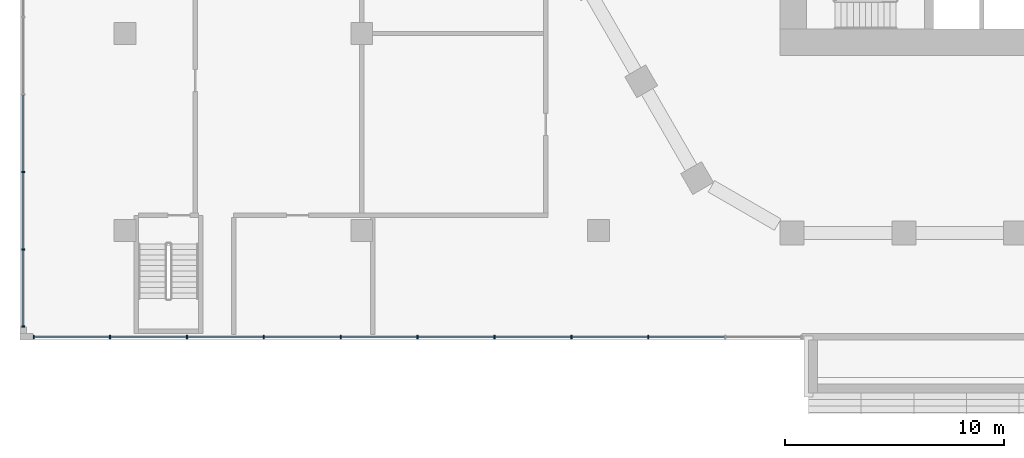
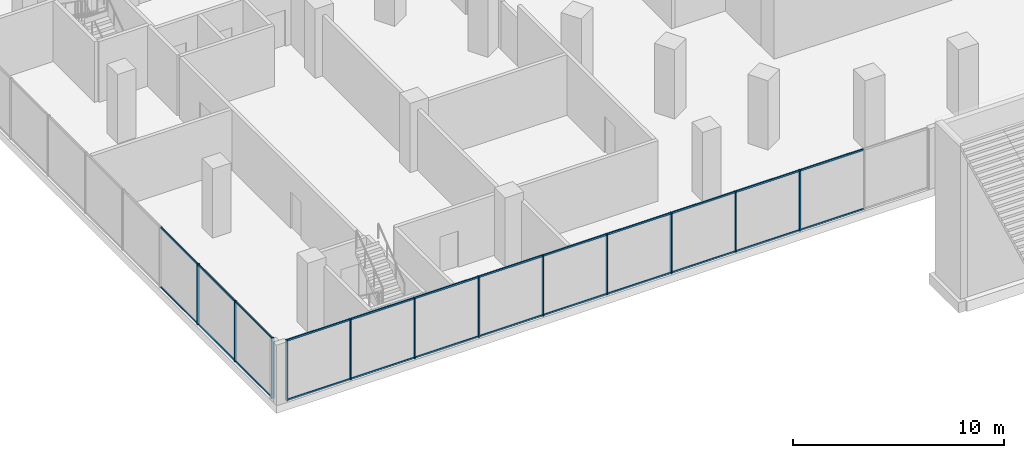
# One storey, part 2 of 45: 36 members, 2 elements without a shape of their own.
"""IFC4 building model written with IfcOpenShell, lengths in metres."""

from ifc_helpers import new_model, si_unit, direction, frame, origin, origin_2d, place, context, subcontext, project, spatial, rectangle, hollow_rectangle, extrude, material, material_profile, profile_set, type_object, element, aggregate, save


model = new_model("IFC4")

# Units and contexts
model_context = context("Model", 3, precision=1e-05, world=origin(), true_north=direction((0.0, 1.0)))
body_context = subcontext(model_context, "Body", "Model", "MODEL_VIEW")
ifc_project = project(units=[si_unit("LENGTHUNIT", "METRE"), si_unit("AREAUNIT", "SQUARE_METRE"), si_unit("VOLUMEUNIT", "CUBIC_METRE"), si_unit("PLANEANGLEUNIT", "RADIAN"), si_unit("MASSUNIT", "GRAM", prefix="KILO")], contexts=[model_context])

# Site, building, storey
site_placement = place(None, origin())
site = spatial("IfcSite", under=ifc_project, at=site_placement, CompositionType="ELEMENT")
building_placement = place(site_placement, origin())
building = spatial("IfcBuilding", under=site, at=building_placement, Name="Beryl Residences", CompositionType="ELEMENT")
storey_placement = place(building_placement, frame((0.0, 0.0, 5.0)))
storey = spatial("IfcBuildingStorey", under=building, at=storey_placement, Name="L01", CompositionType="ELEMENT", Elevation=5.0)

# Curtain wall, members
ifc_material_1 = material(Name="Aluminium and clear glass", Category="aluminium")
curtain_wall_type = type_object("IfcCurtainWallType", Name="CW1 shopfront glazed wall", PredefinedType="NOTDEFINED", material=ifc_material_1)
curtain_wall_1_placement = place(storey_placement, origin())
curtain_wall_1 = element("IfcCurtainWall", 1, at=curtain_wall_1_placement, inside=storey, type_object=curtain_wall_type, Name="CW1 L01 S", PredefinedType="NOTDEFINED")
ifc_material_2 = material(Name="Aluminium", Category="aluminium")
ifc_material_profile_1 = material_profile(ifc_material_2, rectangle(XDim=0.06005859375, YDim=0.14990234375, at=origin_2d()))
ifc_profile_set_1 = profile_set([ifc_material_profile_1], Name="Aluminium")
member_type_1 = type_object("IfcMemberType", Name="CW1-M mullion 60 x 150 mm", PredefinedType="MULLION", material=ifc_profile_set_1)
member_1_placement = place(storey_placement, frame((-47.3701171875, -31.85009765625, 0.0), z_axis=(0.0, 0.0, 1.0), x_axis=(1.0, 0.0, 0.0)))
member_1 = element("IfcMember", 2, at=member_1_placement, type_object=member_type_1, Name="CW1 mullion 1", PredefinedType="MULLION", context=body_context, shape_type="SweptSolid", body=[
    extrude(rectangle(XDim=0.06005859375, YDim=0.14990234375, at=origin_2d()), origin(), (0.0, 0.0, 1.0), 3.5),
])
member_2_placement = place(storey_placement, frame((-43.889892578125, -31.85009765625, 0.0), z_axis=(0.0, 0.0, 1.0), x_axis=(1.0, 0.0, 0.0)))
member_2 = element("IfcMember", 3, at=member_2_placement, type_object=member_type_1, Name="CW1 mullion 2", PredefinedType="MULLION", context=body_context, shape_type="SweptSolid", body=[
    extrude(rectangle(XDim=0.06005859375, YDim=0.14990234375, at=origin_2d()), origin(), (0.0, 0.0, 1.0), 3.5),
])
member_3_placement = place(storey_placement, frame((-40.3798828125, -31.85009765625, 0.0), z_axis=(0.0, 0.0, 1.0), x_axis=(1.0, 0.0, 0.0)))
member_3 = element("IfcMember", 4, at=member_3_placement, type_object=member_type_1, Name="CW1 mullion 3", PredefinedType="MULLION", context=body_context, shape_type="SweptSolid", body=[
    extrude(rectangle(XDim=0.06005859375, YDim=0.14990234375, at=origin_2d()), origin(), (0.0, 0.0, 1.0), 3.5),
])
member_4_placement = place(storey_placement, frame((-36.8701171875, -31.85009765625, 0.0), z_axis=(0.0, 0.0, 1.0), x_axis=(1.0, 0.0, 0.0)))
member_4 = element("IfcMember", 5, at=member_4_placement, type_object=member_type_1, Name="CW1 mullion 4", PredefinedType="MULLION", context=body_context, shape_type="SweptSolid", body=[
    extrude(rectangle(XDim=0.06005859375, YDim=0.14990234375, at=origin_2d()), origin(), (0.0, 0.0, 1.0), 3.5),
])
member_5_placement = place(storey_placement, frame((-33.360107421875, -31.85009765625, 0.0), z_axis=(0.0, 0.0, 1.0), x_axis=(1.0, 0.0, 0.0)))
member_5 = element("IfcMember", 6, at=member_5_placement, type_object=member_type_1, Name="CW1 mullion 5", PredefinedType="MULLION", context=body_context, shape_type="SweptSolid", body=[
    extrude(rectangle(XDim=0.06005859375, YDim=0.14990234375, at=origin_2d()), origin(), (0.0, 0.0, 1.0), 3.5),
])
member_6_placement = place(storey_placement, frame((-29.85009765625, -31.85009765625, 0.0), z_axis=(0.0, 0.0, 1.0), x_axis=(1.0, 0.0, 0.0)))
member_6 = element("IfcMember", 7, at=member_6_placement, type_object=member_type_1, Name="CW1 mullion 6", PredefinedType="MULLION", context=body_context, shape_type="SweptSolid", body=[
    extrude(rectangle(XDim=0.06005859375, YDim=0.14990234375, at=origin_2d()), origin(), (0.0, 0.0, 1.0), 3.5),
])
member_7_placement = place(storey_placement, frame((-26.340087890625, -31.85009765625, 0.0), z_axis=(0.0, 0.0, 1.0), x_axis=(1.0, 0.0, 0.0)))
member_7 = element("IfcMember", 8, at=member_7_placement, type_object=member_type_1, Name="CW1 mullion 7", PredefinedType="MULLION", context=body_context, shape_type="SweptSolid", body=[
    extrude(rectangle(XDim=0.06005859375, YDim=0.14990234375, at=origin_2d()), origin(), (0.0, 0.0, 1.0), 3.5),
])
member_8_placement = place(storey_placement, frame((-22.830078125, -31.85009765625, 0.0), z_axis=(0.0, 0.0, 1.0), x_axis=(1.0, 0.0, 0.0)))
member_8 = element("IfcMember", 9, at=member_8_placement, type_object=member_type_1, Name="CW1 mullion 8", PredefinedType="MULLION", context=body_context, shape_type="SweptSolid", body=[
    extrude(rectangle(XDim=0.06005859375, YDim=0.14990234375, at=origin_2d()), origin(), (0.0, 0.0, 1.0), 3.5),
])
member_9_placement = place(storey_placement, frame((-19.320068359375, -31.85009765625, 0.0), z_axis=(0.0, 0.0, 1.0), x_axis=(1.0, 0.0, 0.0)))
member_9 = element("IfcMember", 10, at=member_9_placement, type_object=member_type_1, Name="CW1 mullion 9", PredefinedType="MULLION", context=body_context, shape_type="SweptSolid", body=[
    extrude(rectangle(XDim=0.06005859375, YDim=0.14990234375, at=origin_2d()), origin(), (0.0, 0.0, 1.0), 3.5),
])

curtain_wall_2_placement = place(storey_placement, origin())
curtain_wall_2 = element("IfcCurtainWall", 11, at=curtain_wall_2_placement, inside=storey, type_object=curtain_wall_type, Name="CW1 L01 W", PredefinedType="NOTDEFINED")
member_10_placement = place(storey_placement, frame((-47.85009765625, -24.320068359375, 0.0), z_axis=(0.0, 0.0, 1.0), x_axis=(0.0, -1.0, 0.0)))
member_10 = element("IfcMember", 12, at=member_10_placement, type_object=member_type_1, Name="CW1 mullion 19", PredefinedType="MULLION", context=body_context, shape_type="SweptSolid", body=[
    extrude(rectangle(XDim=0.06005859375, YDim=0.14990234375, at=origin_2d()), origin(), (0.0, 0.0, 1.0), 3.5),
])
member_11_placement = place(storey_placement, frame((-47.85009765625, -27.860107421875, 0.0), z_axis=(0.0, 0.0, 1.0), x_axis=(0.0, -1.0, 0.0)))
member_11 = element("IfcMember", 13, at=member_11_placement, type_object=member_type_1, Name="CW1 mullion 20", PredefinedType="MULLION", context=body_context, shape_type="SweptSolid", body=[
    extrude(rectangle(XDim=0.06005859375, YDim=0.14990234375, at=origin_2d()), origin(), (0.0, 0.0, 1.0), 3.5),
])
member_12_placement = place(storey_placement, frame((-47.85009765625, -31.3701171875, 0.0), z_axis=(0.0, 0.0, 1.0), x_axis=(0.0, -1.0, 0.0)))
member_12 = element("IfcMember", 14, at=member_12_placement, type_object=member_type_1, Name="CW1 mullion 21", PredefinedType="MULLION", context=body_context, shape_type="SweptSolid", body=[
    extrude(rectangle(XDim=0.06005859375, YDim=0.14990234375, at=origin_2d()), origin(), (0.0, 0.0, 1.0), 3.5),
])

# Member
ifc_material_3 = material(Name="Aluminium", Category="aluminium")
ifc_material_profile_2 = material_profile(ifc_material_3, hollow_rectangle(XDim=0.06005859375, YDim=0.10009765625, WallThickness=0.00390625, at=origin_2d()))
ifc_profile_set_2 = profile_set([ifc_material_profile_2], Name="Aluminium")
member_type_2 = type_object("IfcMemberType", Name="CW1-T transom 60 x 100 mm", PredefinedType="USERDEFINED", material=ifc_profile_set_2)
member_13_placement = place(storey_placement, frame((-47.340087890625, -31.85009765625, 0.030029296875), z_axis=(1.0, 0.0, 0.0), x_axis=(0.0, 1.0, 0.0)))
member_13 = element("IfcMember", 15, at=member_13_placement, type_object=member_type_2, Name="CW1 transom 1.1", ObjectType="TRANSOM", PredefinedType="USERDEFINED", context=body_context, shape_type="SweptSolid", body=[
    extrude(hollow_rectangle(XDim=0.06005859375, YDim=0.10009765625, WallThickness=0.00390625, at=origin_2d()), origin(), (0.0, 0.0, 1.0), 3.420166015625),
])

member_14_placement = place(storey_placement, frame((-47.340087890625, -31.85009765625, 3.469970703125), z_axis=(1.0, 0.0, 0.0), x_axis=(0.0, 1.0, 0.0)))
member_14 = element("IfcMember", 16, at=member_14_placement, type_object=member_type_2, Name="CW1 transom 1.2", ObjectType="TRANSOM", PredefinedType="USERDEFINED", context=body_context, shape_type="SweptSolid", body=[
    extrude(hollow_rectangle(XDim=0.06005859375, YDim=0.10009765625, WallThickness=0.00390625, at=origin_2d()), origin(), (0.0, 0.0, 1.0), 3.420166015625),
])

member_15_placement = place(storey_placement, frame((-43.860107421875, -31.85009765625, 0.030029296875), z_axis=(1.0, 0.0, 0.0), x_axis=(0.0, 1.0, 0.0)))
member_15 = element("IfcMember", 17, at=member_15_placement, type_object=member_type_2, Name="CW1 transom 2.1", ObjectType="TRANSOM", PredefinedType="USERDEFINED", context=body_context, shape_type="SweptSolid", body=[
    extrude(hollow_rectangle(XDim=0.06005859375, YDim=0.10009765625, WallThickness=0.00390625, at=origin_2d()), origin(), (0.0, 0.0, 1.0), 3.4501953125),
])

member_16_placement = place(storey_placement, frame((-43.860107421875, -31.85009765625, 3.469970703125), z_axis=(1.0, 0.0, 0.0), x_axis=(0.0, 1.0, 0.0)))
member_16 = element("IfcMember", 18, at=member_16_placement, type_object=member_type_2, Name="CW1 transom 2.2", ObjectType="TRANSOM", PredefinedType="USERDEFINED", context=body_context, shape_type="SweptSolid", body=[
    extrude(hollow_rectangle(XDim=0.06005859375, YDim=0.10009765625, WallThickness=0.00390625, at=origin_2d()), origin(), (0.0, 0.0, 1.0), 3.4501953125),
])

member_17_placement = place(storey_placement, frame((-40.35009765625, -31.85009765625, 0.030029296875), z_axis=(1.0, 0.0, 0.0), x_axis=(0.0, 1.0, 0.0)))
member_17 = element("IfcMember", 19, at=member_17_placement, type_object=member_type_2, Name="CW1 transom 3.1", ObjectType="TRANSOM", PredefinedType="USERDEFINED", context=body_context, shape_type="SweptSolid", body=[
    extrude(hollow_rectangle(XDim=0.06005859375, YDim=0.10009765625, WallThickness=0.00390625, at=origin_2d()), origin(), (0.0, 0.0, 1.0), 3.4501953125),
])

member_18_placement = place(storey_placement, frame((-40.35009765625, -31.85009765625, 3.469970703125), z_axis=(1.0, 0.0, 0.0), x_axis=(0.0, 1.0, 0.0)))
member_18 = element("IfcMember", 20, at=member_18_placement, type_object=member_type_2, Name="CW1 transom 3.2", ObjectType="TRANSOM", PredefinedType="USERDEFINED", context=body_context, shape_type="SweptSolid", body=[
    extrude(hollow_rectangle(XDim=0.06005859375, YDim=0.10009765625, WallThickness=0.00390625, at=origin_2d()), origin(), (0.0, 0.0, 1.0), 3.4501953125),
])

member_19_placement = place(storey_placement, frame((-36.840087890625, -31.85009765625, 0.030029296875), z_axis=(1.0, 0.0, 0.0), x_axis=(0.0, 1.0, 0.0)))
member_19 = element("IfcMember", 21, at=member_19_placement, type_object=member_type_2, Name="CW1 transom 4.1", ObjectType="TRANSOM", PredefinedType="USERDEFINED", context=body_context, shape_type="SweptSolid", body=[
    extrude(hollow_rectangle(XDim=0.06005859375, YDim=0.10009765625, WallThickness=0.00390625, at=origin_2d()), origin(), (0.0, 0.0, 1.0), 3.4501953125),
])

member_20_placement = place(storey_placement, frame((-36.840087890625, -31.85009765625, 3.469970703125), z_axis=(1.0, 0.0, 0.0), x_axis=(0.0, 1.0, 0.0)))
member_20 = element("IfcMember", 22, at=member_20_placement, type_object=member_type_2, Name="CW1 transom 4.2", ObjectType="TRANSOM", PredefinedType="USERDEFINED", context=body_context, shape_type="SweptSolid", body=[
    extrude(hollow_rectangle(XDim=0.06005859375, YDim=0.10009765625, WallThickness=0.00390625, at=origin_2d()), origin(), (0.0, 0.0, 1.0), 3.4501953125),
])

member_21_placement = place(storey_placement, frame((-33.330078125, -31.85009765625, 0.030029296875), z_axis=(1.0, 0.0, 0.0), x_axis=(0.0, 1.0, 0.0)))
member_21 = element("IfcMember", 23, at=member_21_placement, type_object=member_type_2, Name="CW1 transom 5.1", ObjectType="TRANSOM", PredefinedType="USERDEFINED", context=body_context, shape_type="SweptSolid", body=[
    extrude(hollow_rectangle(XDim=0.06005859375, YDim=0.10009765625, WallThickness=0.00390625, at=origin_2d()), origin(), (0.0, 0.0, 1.0), 3.4501953125),
])

member_22_placement = place(storey_placement, frame((-33.330078125, -31.85009765625, 3.469970703125), z_axis=(1.0, 0.0, 0.0), x_axis=(0.0, 1.0, 0.0)))
member_22 = element("IfcMember", 24, at=member_22_placement, type_object=member_type_2, Name="CW1 transom 5.2", ObjectType="TRANSOM", PredefinedType="USERDEFINED", context=body_context, shape_type="SweptSolid", body=[
    extrude(hollow_rectangle(XDim=0.06005859375, YDim=0.10009765625, WallThickness=0.00390625, at=origin_2d()), origin(), (0.0, 0.0, 1.0), 3.4501953125),
])

member_23_placement = place(storey_placement, frame((-29.820068359375, -31.85009765625, 0.030029296875), z_axis=(1.0, 0.0, 0.0), x_axis=(0.0, 1.0, 0.0)))
member_23 = element("IfcMember", 25, at=member_23_placement, type_object=member_type_2, Name="CW1 transom 6.1", ObjectType="TRANSOM", PredefinedType="USERDEFINED", context=body_context, shape_type="SweptSolid", body=[
    extrude(hollow_rectangle(XDim=0.06005859375, YDim=0.10009765625, WallThickness=0.00390625, at=origin_2d()), origin(), (0.0, 0.0, 1.0), 3.449951171875),
])

member_24_placement = place(storey_placement, frame((-29.820068359375, -31.85009765625, 3.469970703125), z_axis=(1.0, 0.0, 0.0), x_axis=(0.0, 1.0, 0.0)))
member_24 = element("IfcMember", 26, at=member_24_placement, type_object=member_type_2, Name="CW1 transom 6.2", ObjectType="TRANSOM", PredefinedType="USERDEFINED", context=body_context, shape_type="SweptSolid", body=[
    extrude(hollow_rectangle(XDim=0.06005859375, YDim=0.10009765625, WallThickness=0.00390625, at=origin_2d()), origin(), (0.0, 0.0, 1.0), 3.449951171875),
])

member_25_placement = place(storey_placement, frame((-26.31005859375, -31.85009765625, 0.030029296875), z_axis=(1.0, 0.0, 0.0), x_axis=(0.0, 1.0, 0.0)))
member_25 = element("IfcMember", 27, at=member_25_placement, type_object=member_type_2, Name="CW1 transom 7.1", ObjectType="TRANSOM", PredefinedType="USERDEFINED", context=body_context, shape_type="SweptSolid", body=[
    extrude(hollow_rectangle(XDim=0.06005859375, YDim=0.10009765625, WallThickness=0.00390625, at=origin_2d()), origin(), (0.0, 0.0, 1.0), 3.449951171875),
])

member_26_placement = place(storey_placement, frame((-26.31005859375, -31.85009765625, 3.469970703125), z_axis=(1.0, 0.0, 0.0), x_axis=(0.0, 1.0, 0.0)))
member_26 = element("IfcMember", 28, at=member_26_placement, type_object=member_type_2, Name="CW1 transom 7.2", ObjectType="TRANSOM", PredefinedType="USERDEFINED", context=body_context, shape_type="SweptSolid", body=[
    extrude(hollow_rectangle(XDim=0.06005859375, YDim=0.10009765625, WallThickness=0.00390625, at=origin_2d()), origin(), (0.0, 0.0, 1.0), 3.449951171875),
])

member_27_placement = place(storey_placement, frame((-22.800048828125, -31.85009765625, 0.030029296875), z_axis=(1.0, 0.0, 0.0), x_axis=(0.0, 1.0, 0.0)))
member_27 = element("IfcMember", 29, at=member_27_placement, type_object=member_type_2, Name="CW1 transom 8.1", ObjectType="TRANSOM", PredefinedType="USERDEFINED", context=body_context, shape_type="SweptSolid", body=[
    extrude(hollow_rectangle(XDim=0.06005859375, YDim=0.10009765625, WallThickness=0.00390625, at=origin_2d()), origin(), (0.0, 0.0, 1.0), 3.449951171875),
])

member_28_placement = place(storey_placement, frame((-22.800048828125, -31.85009765625, 3.469970703125), z_axis=(1.0, 0.0, 0.0), x_axis=(0.0, 1.0, 0.0)))
member_28 = element("IfcMember", 30, at=member_28_placement, type_object=member_type_2, Name="CW1 transom 8.2", ObjectType="TRANSOM", PredefinedType="USERDEFINED", context=body_context, shape_type="SweptSolid", body=[
    extrude(hollow_rectangle(XDim=0.06005859375, YDim=0.10009765625, WallThickness=0.00390625, at=origin_2d()), origin(), (0.0, 0.0, 1.0), 3.449951171875),
])

member_29_placement = place(storey_placement, frame((-19.2900390625, -31.85009765625, 0.030029296875), z_axis=(1.0, 0.0, 0.0), x_axis=(0.0, 1.0, 0.0)))
member_29 = element("IfcMember", 31, at=member_29_placement, type_object=member_type_2, Name="CW1 transom 9.1", ObjectType="TRANSOM", PredefinedType="USERDEFINED", context=body_context, shape_type="SweptSolid", body=[
    extrude(hollow_rectangle(XDim=0.06005859375, YDim=0.10009765625, WallThickness=0.00390625, at=origin_2d()), origin(), (0.0, 0.0, 1.0), 3.449951171875),
])

member_30_placement = place(storey_placement, frame((-19.2900390625, -31.85009765625, 3.469970703125), z_axis=(1.0, 0.0, 0.0), x_axis=(0.0, 1.0, 0.0)))
member_30 = element("IfcMember", 32, at=member_30_placement, type_object=member_type_2, Name="CW1 transom 9.2", ObjectType="TRANSOM", PredefinedType="USERDEFINED", context=body_context, shape_type="SweptSolid", body=[
    extrude(hollow_rectangle(XDim=0.06005859375, YDim=0.10009765625, WallThickness=0.00390625, at=origin_2d()), origin(), (0.0, 0.0, 1.0), 3.449951171875),
])

aggregate(curtain_wall_1, [member_1, member_2, member_3, member_4, member_5, member_6, member_7, member_8, member_9, member_13, member_14, member_15, member_16, member_17, member_18, member_19, member_20, member_21, member_22, member_23, member_24, member_25, member_26, member_27, member_28, member_29, member_30])

member_31_placement = place(storey_placement, frame((-47.85009765625, -20.81005859375, 0.030029296875), z_axis=(0.0, -1.0, 0.0), x_axis=(1.0, 0.0, 0.0)))
member_31 = element("IfcMember", 33, at=member_31_placement, type_object=member_type_2, Name="CW1 transom 18.1", ObjectType="TRANSOM", PredefinedType="USERDEFINED", context=body_context, shape_type="SweptSolid", body=[
    extrude(hollow_rectangle(XDim=0.06005859375, YDim=0.10009765625, WallThickness=0.00390625, at=origin_2d()), origin(), (0.0, 0.0, 1.0), 3.47998046875),
])

member_32_placement = place(storey_placement, frame((-47.85009765625, -20.81005859375, 3.469970703125), z_axis=(0.0, -1.0, 0.0), x_axis=(1.0, 0.0, 0.0)))
member_32 = element("IfcMember", 34, at=member_32_placement, type_object=member_type_2, Name="CW1 transom 18.2", ObjectType="TRANSOM", PredefinedType="USERDEFINED", context=body_context, shape_type="SweptSolid", body=[
    extrude(hollow_rectangle(XDim=0.06005859375, YDim=0.10009765625, WallThickness=0.00390625, at=origin_2d()), origin(), (0.0, 0.0, 1.0), 3.47998046875),
])

member_33_placement = place(storey_placement, frame((-47.85009765625, -24.35009765625, 0.030029296875), z_axis=(0.0, -1.0, 0.0), x_axis=(1.0, 0.0, 0.0)))
member_33 = element("IfcMember", 35, at=member_33_placement, type_object=member_type_2, Name="CW1 transom 19.1", ObjectType="TRANSOM", PredefinedType="USERDEFINED", context=body_context, shape_type="SweptSolid", body=[
    extrude(hollow_rectangle(XDim=0.06005859375, YDim=0.10009765625, WallThickness=0.00390625, at=origin_2d()), origin(), (0.0, 0.0, 1.0), 3.47998046875),
])

member_34_placement = place(storey_placement, frame((-47.85009765625, -24.35009765625, 3.469970703125), z_axis=(0.0, -1.0, 0.0), x_axis=(1.0, 0.0, 0.0)))
member_34 = element("IfcMember", 36, at=member_34_placement, type_object=member_type_2, Name="CW1 transom 19.2", ObjectType="TRANSOM", PredefinedType="USERDEFINED", context=body_context, shape_type="SweptSolid", body=[
    extrude(hollow_rectangle(XDim=0.06005859375, YDim=0.10009765625, WallThickness=0.00390625, at=origin_2d()), origin(), (0.0, 0.0, 1.0), 3.47998046875),
])

member_35_placement = place(storey_placement, frame((-47.85009765625, -27.889892578125, 0.030029296875), z_axis=(0.0, -1.0, 0.0), x_axis=(1.0, 0.0, 0.0)))
member_35 = element("IfcMember", 37, at=member_35_placement, type_object=member_type_2, Name="CW1 transom 20.1", ObjectType="TRANSOM", PredefinedType="USERDEFINED", context=body_context, shape_type="SweptSolid", body=[
    extrude(hollow_rectangle(XDim=0.06005859375, YDim=0.10009765625, WallThickness=0.00390625, at=origin_2d()), origin(), (0.0, 0.0, 1.0), 3.4501953125),
])

member_36_placement = place(storey_placement, frame((-47.85009765625, -27.889892578125, 3.469970703125), z_axis=(0.0, -1.0, 0.0), x_axis=(1.0, 0.0, 0.0)))
member_36 = element("IfcMember", 38, at=member_36_placement, type_object=member_type_2, Name="CW1 transom 20.2", ObjectType="TRANSOM", PredefinedType="USERDEFINED", context=body_context, shape_type="SweptSolid", body=[
    extrude(hollow_rectangle(XDim=0.06005859375, YDim=0.10009765625, WallThickness=0.00390625, at=origin_2d()), origin(), (0.0, 0.0, 1.0), 3.4501953125),
])

aggregate(curtain_wall_2, [member_10, member_11, member_12, member_31, member_32, member_33, member_34, member_35, member_36])

save(model, "model.ifc")
